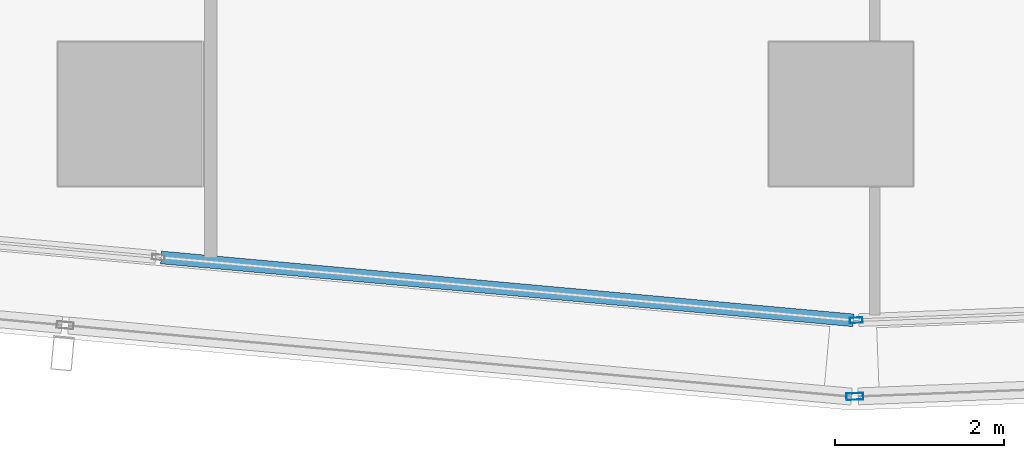
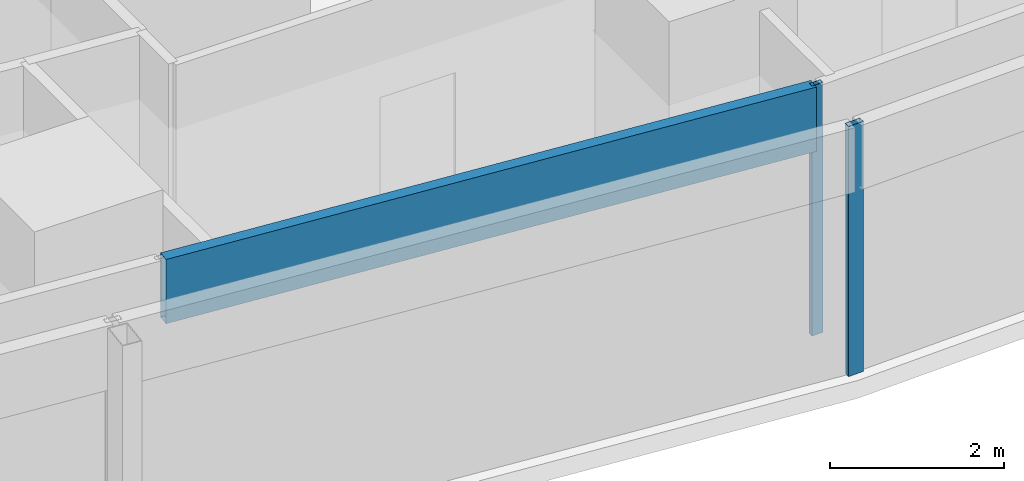
# One storey, part 5 of 40: 3 members, 3 elements without a shape of their own.
"""IFC4 building model written with IfcOpenShell, lengths in metres."""

from ifc_helpers import new_model, si_unit, direction, frame, origin, origin_2d, place, context, subcontext, project, spatial, hollow_rectangle, extrude, material, material_profile, profile_set, type_object, element, aggregate, save


model = new_model("IFC4")

# Units and contexts
model_context = context("Model", 3, precision=1e-05, world=origin(), true_north=direction((0.0, 1.0)))
body_context = subcontext(model_context, "Body", "Model", "MODEL_VIEW")
ifc_project = project(units=[si_unit("LENGTHUNIT", "METRE"), si_unit("AREAUNIT", "SQUARE_METRE"), si_unit("VOLUMEUNIT", "CUBIC_METRE"), si_unit("PLANEANGLEUNIT", "RADIAN"), si_unit("MASSUNIT", "GRAM", prefix="KILO")], contexts=[model_context])

# Site, building, storey
site_placement = place(None, origin())
site = spatial("IfcSite", under=ifc_project, at=site_placement, CompositionType="ELEMENT")
building_placement = place(site_placement, origin())
building = spatial("IfcBuilding", under=site, at=building_placement, Name="Rekha Terrace Tower", CompositionType="ELEMENT")
storey_placement = place(building_placement, frame((0.0, 0.0, 129.050048828125)))
storey = spatial("IfcBuildingStorey", under=building, at=storey_placement, Name="L32", CompositionType="ELEMENT", Elevation=129.050048828125)

# Curtain wall, member
ifc_material_1 = material(Name="Aluminium framing", Category="aluminium")
curtain_wall_type_1 = type_object("IfcCurtainWallType", Name="CW1 double skin inner glazing", PredefinedType="USERDEFINED", material=ifc_material_1)
curtain_wall_1_placement = place(storey_placement, origin())
curtain_wall_1 = element("IfcCurtainWall", 1, at=curtain_wall_1_placement, inside=storey, type_object=curtain_wall_type_1, Name="CW1 double skin inner glazing", ObjectType="DOUBLE SKIN INNER GLAZING", PredefinedType="USERDEFINED")
ifc_material_2 = material(Name="Aluminium mullion section", Category="aluminium")
ifc_material_profile_1 = material_profile(ifc_material_2, hollow_rectangle(XDim=0.06494140625, YDim=0.14990234375, WallThickness=0.00390625, at=origin_2d()), Name="AL RHS 65x150")
ifc_profile_set_1 = profile_set([ifc_material_profile_1], Name="Aluminium mullion section")
member_type_1 = type_object("IfcMemberType", Name="CW1 mullion RHS 65 x 150", PredefinedType="MULLION", material=ifc_profile_set_1)
member_1_placement = place(storey_placement, frame((25.3798828125, 14.363037109375, 0.0), z_axis=(0.0, 0.0, 1.0), x_axis=(-0.038889971345, 0.999243498917, 0.0)))
member_1 = element("IfcMember", 2, at=member_1_placement, type_object=member_type_1, Name="CW1 mullion 1", PredefinedType="MULLION", context=body_context, shape_type="SweptSolid", body=[
    extrude(hollow_rectangle(XDim=0.06494140625, YDim=0.14990234375, WallThickness=0.00390625, at=origin_2d()), origin(), (0.0, 0.0, 1.0), 3.5),
])
aggregate(curtain_wall_1, [member_1])

curtain_wall_2_placement = place(storey_placement, origin())
curtain_wall_2 = element("IfcCurtainWall", 3, at=curtain_wall_2_placement, inside=storey, type_object=curtain_wall_type_1, Name="CW1 double skin inner glazing", ObjectType="DOUBLE SKIN INNER GLAZING", PredefinedType="USERDEFINED")
ifc_material_3 = material(Name="Insulated aluminium spandrel box", Category="aluminium")
ifc_material_profile_2 = material_profile(ifc_material_3, hollow_rectangle(XDim=0.14990234375, YDim=0.89990234375, WallThickness=0.0029296875, at=origin_2d()), Name="AL SPANDREL BOX 150x900")
ifc_profile_set_2 = profile_set([ifc_material_profile_2], Name="Insulated aluminium spandrel box")
member_type_2 = type_object("IfcMemberType", Name="CW1 spandrel transom 150 x 900", PredefinedType="USERDEFINED", material=ifc_profile_set_2)
member_2_placement = place(storey_placement, frame((17.16650390625, 15.104736328125, 3.050048828125), z_axis=(0.995901971759, -0.090439276017, 0.0), x_axis=(0.090439276017, 0.995901971759, 0.0)))
member_2 = element("IfcMember", 4, at=member_2_placement, type_object=member_type_2, Name="CW1 spandrel transom 2", ObjectType="TRANSOM", PredefinedType="USERDEFINED", context=body_context, shape_type="SweptSolid", body=[
    extrude(hollow_rectangle(XDim=0.14990234375, YDim=0.89990234375, WallThickness=0.0029296875, at=origin_2d()), origin(), (0.0, 0.0, 1.0), 8.214599609375),
])
aggregate(curtain_wall_2, [member_2])

curtain_wall_type_2 = type_object("IfcCurtainWallType", Name="CW2 double skin outer glazing", PredefinedType="USERDEFINED", material=ifc_material_1)
curtain_wall_3_placement = place(storey_placement, origin())
curtain_wall_3 = element("IfcCurtainWall", 5, at=curtain_wall_3_placement, inside=storey, type_object=curtain_wall_type_2, Name="CW2 double skin outer glazing", ObjectType="DOUBLE SKIN OUTER GLAZING", PredefinedType="USERDEFINED")
ifc_material_profile_3 = material_profile(ifc_material_2, hollow_rectangle(XDim=0.080078125, YDim=0.199951171875, WallThickness=0.00390625, at=origin_2d()), Name="AL RHS 80x200")
ifc_profile_set_3 = profile_set([ifc_material_profile_3], Name="Aluminium mullion section")
member_type_3 = type_object("IfcMemberType", Name="CW2 mullion RHS 80 x 200", PredefinedType="MULLION", material=ifc_profile_set_3)
member_3_placement = place(storey_placement, frame((25.364013671875, 13.4619140625, 0.0), z_axis=(0.0, 0.0, 1.0), x_axis=(-0.038889971345, 0.999243498917, 0.0)))
member_3 = element("IfcMember", 6, at=member_3_placement, type_object=member_type_3, Name="CW2 mullion 1", PredefinedType="MULLION", context=body_context, shape_type="SweptSolid", body=[
    extrude(hollow_rectangle(XDim=0.080078125, YDim=0.199951171875, WallThickness=0.00390625, at=origin_2d()), origin(), (0.0, 0.0, 1.0), 3.5),
])
aggregate(curtain_wall_3, [member_3])

save(model, "model.ifc")
